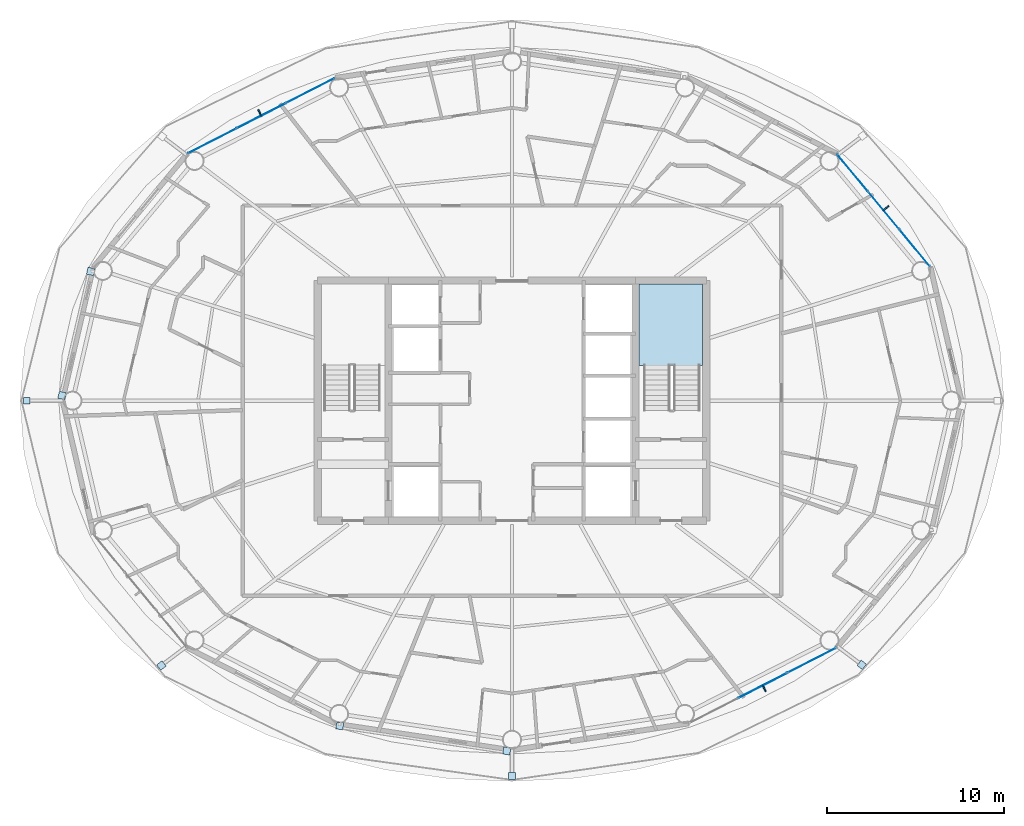
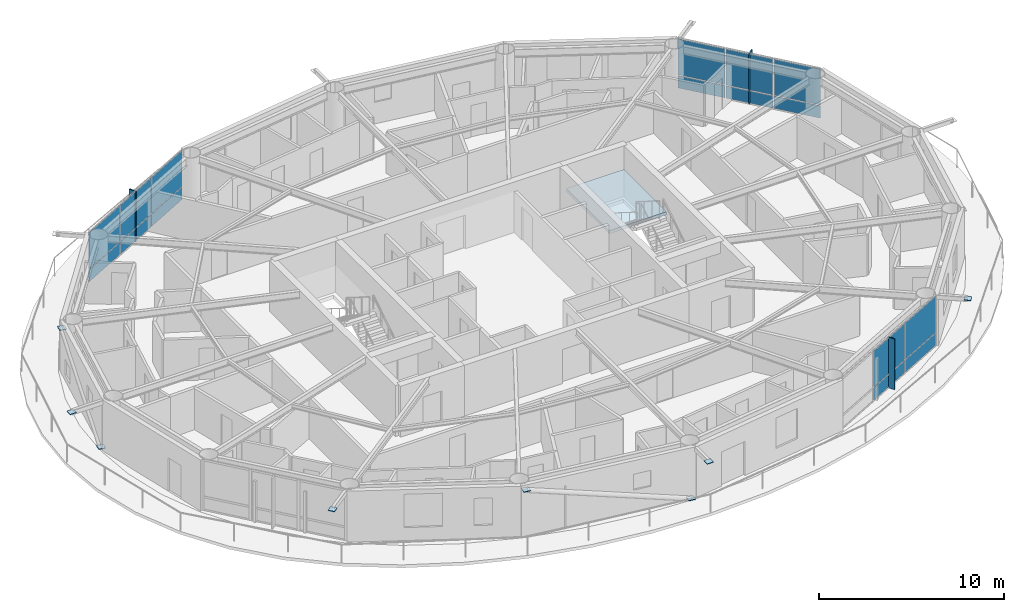
# One storey, part 14 of 23: 27 plates, 1 slab, 4 elements without a shape of their own.
"""IFC4 building model written with IfcOpenShell, lengths in metres."""

from ifc_helpers import new_model, si_unit, direction, frame, origin, origin_2d, place, context, subcontext, project, spatial, polyline, rectangle, outline, extrude, material, layer, layer_set, type_object, element, aggregate, save


model = new_model("IFC4")

# Units and contexts
model_context = context("Model", 3, precision=1e-05, world=origin(), true_north=direction((0.0, 1.0)))
body_context = subcontext(model_context, "Body", "Model", "MODEL_VIEW")
ifc_project = project(units=[si_unit("LENGTHUNIT", "METRE"), si_unit("AREAUNIT", "SQUARE_METRE"), si_unit("VOLUMEUNIT", "CUBIC_METRE"), si_unit("PLANEANGLEUNIT", "RADIAN"), si_unit("MASSUNIT", "GRAM", prefix="KILO")], contexts=[model_context])

# Site, building, storey
site_placement = place(None, origin())
site = spatial("IfcSite", under=ifc_project, at=site_placement, CompositionType="ELEMENT")
building_placement = place(site_placement, origin())
building = spatial("IfcBuilding", under=site, at=building_placement, Name="Sarneth Arch Tower", CompositionType="ELEMENT")
storey_placement = place(building_placement, frame((0.0, 0.0, 238.800048828125)))
storey = spatial("IfcBuildingStorey", under=building, at=storey_placement, Name="L61", CompositionType="ELEMENT", Elevation=238.800048828125)

# Curtain wall, plates
ifc_material_1 = material(Name="Anodised aluminium Type AA25 and solar-control low-e laminated IGU", Category="aluminium")
ifc_layer_1 = layer(ifc_material_1, 0.179931640625)
ifc_layer_set_1 = layer_set([ifc_layer_1], Name="Anodised aluminium Type AA25 and solar-control low-e laminated IGU")
curtain_wall_type = type_object("IfcCurtainWallType", Name="CW-RES-HIGH", PredefinedType="NOTDEFINED", material=ifc_layer_set_1)
curtain_wall_1_placement = place(storey_placement, origin())
curtain_wall_1 = element("IfcCurtainWall", 1, at=curtain_wall_1_placement, inside=storey, type_object=curtain_wall_type, Name="L61 Unitised curtain wall facet 02", PredefinedType="NOTDEFINED")
ifc_material_2 = material(Name="Solar-control low-e laminated IGU", Category="glass")
ifc_layer_2 = layer(ifc_material_2, 0.028076171875)
ifc_layer_set_2 = layer_set([ifc_layer_2], Name="Solar-control low-e laminated IGU")
plate_type_1 = type_object("IfcPlateType", Name="CW-PANEL", PredefinedType="CURTAIN_PANEL", material=ifc_layer_set_2)
plate_1_placement = place(storey_placement, frame((70.799072265625, 50.650634765625, 0.059814453125), z_axis=(0.0, 0.0, 1.0), x_axis=(-0.637610094184, 0.770359245933, 0.0)))
plate_1 = element("IfcPlate", 2, at=plate_1_placement, type_object=plate_type_1, Name="Curtain wall glazed vision pane CW-L61-F02/P00-00", PredefinedType="CURTAIN_PANEL", context=body_context, shape_type="SweptSolid", body=[
    extrude(rectangle(XDim=2.686767578125, YDim=0.028076171875, at=origin_2d()), origin(), (0.0, 0.0, 1.0), 0.81005859375),
])
plate_2_placement = place(storey_placement, frame((70.799072265625, 50.650634765625, 0.929931640625), z_axis=(0.0, 0.0, 1.0), x_axis=(-0.637610094184, 0.770359245933, 0.0)))
plate_2 = element("IfcPlate", 3, at=plate_2_placement, type_object=plate_type_1, Name="Curtain wall glazed vision pane CW-L61-F02/P00-01", PredefinedType="CURTAIN_PANEL", context=body_context, shape_type="SweptSolid", body=[
    extrude(rectangle(XDim=2.686767578125, YDim=0.028076171875, at=origin_2d()), origin(), (0.0, 0.0, 1.0), 2.3701171875),
])
plate_3_placement = place(storey_placement, frame((69.0380859375, 52.778076171875, 0.059814453125), z_axis=(0.0, 0.0, 1.0), x_axis=(-0.637610094184, 0.770359245933, 0.0)))
plate_3 = element("IfcPlate", 4, at=plate_3_placement, type_object=plate_type_1, Name="Curtain wall glazed vision pane CW-L61-F02/P01-00", PredefinedType="CURTAIN_PANEL", context=body_context, shape_type="SweptSolid", body=[
    extrude(rectangle(XDim=2.716552734375, YDim=0.028076171875, at=origin_2d()), origin(), (0.0, 0.0, 1.0), 0.81005859375),
])
plate_4_placement = place(storey_placement, frame((69.0380859375, 52.778076171875, 0.929931640625), z_axis=(0.0, 0.0, 1.0), x_axis=(-0.637610094184, 0.770359245933, 0.0)))
plate_4 = element("IfcPlate", 5, at=plate_4_placement, type_object=plate_type_1, Name="Curtain wall glazed vision pane CW-L61-F02/P01-01", PredefinedType="CURTAIN_PANEL", context=body_context, shape_type="SweptSolid", body=[
    extrude(rectangle(XDim=2.716552734375, YDim=0.028076171875, at=origin_2d()), origin(), (0.0, 0.0, 1.0), 2.3701171875),
])
plate_5_placement = place(storey_placement, frame((67.27734375, 54.905517578125, 0.059814453125), z_axis=(0.0, 0.0, 1.0), x_axis=(-0.637610094184, 0.770359245933, 0.0)))
plate_5 = element("IfcPlate", 6, at=plate_5_placement, type_object=plate_type_1, Name="Curtain wall glazed vision pane CW-L61-F02/P02-00", PredefinedType="CURTAIN_PANEL", context=body_context, shape_type="SweptSolid", body=[
    extrude(rectangle(XDim=2.686767578125, YDim=0.028076171875, at=origin_2d()), origin(), (0.0, 0.0, 1.0), 0.81005859375),
])
plate_6_placement = place(storey_placement, frame((67.27734375, 54.905517578125, 0.929931640625), z_axis=(0.0, 0.0, 1.0), x_axis=(-0.637610094184, 0.770359245933, 0.0)))
plate_6 = element("IfcPlate", 7, at=plate_6_placement, type_object=plate_type_1, Name="Curtain wall glazed vision pane CW-L61-F02/P02-01", PredefinedType="CURTAIN_PANEL", context=body_context, shape_type="SweptSolid", body=[
    extrude(rectangle(XDim=2.686767578125, YDim=0.028076171875, at=origin_2d()), origin(), (0.0, 0.0, 1.0), 2.3701171875),
])
aggregate(curtain_wall_1, [plate_1, plate_2, plate_3, plate_4, plate_5, plate_6])

curtain_wall_2_placement = place(storey_placement, origin())
curtain_wall_2 = element("IfcCurtainWall", 8, at=curtain_wall_2_placement, inside=storey, type_object=curtain_wall_type, Name="L61 Unitised curtain wall facet 06", PredefinedType="NOTDEFINED")
plate_7_placement = place(storey_placement, frame((36.5791015625, 59.552978515625, 0.059814453125), z_axis=(0.0, 0.0, 1.0), x_axis=(-0.890009540525, -0.455941901753, 0.0)))
plate_7 = element("IfcPlate", 9, at=plate_7_placement, type_object=plate_type_1, Name="Curtain wall glazed vision pane CW-L61-F06/P00-00", PredefinedType="CURTAIN_PANEL", context=body_context, shape_type="SweptSolid", body=[
    extrude(rectangle(XDim=3.044677734375, YDim=0.028076171875, at=origin_2d()), origin(), (0.0, 0.0, 1.0), 0.81005859375),
])
plate_8_placement = place(storey_placement, frame((36.5791015625, 59.552978515625, 0.929931640625), z_axis=(0.0, 0.0, 1.0), x_axis=(-0.890009540525, -0.455941901753, 0.0)))
plate_8 = element("IfcPlate", 10, at=plate_8_placement, type_object=plate_type_1, Name="Curtain wall glazed vision pane CW-L61-F06/P00-01", PredefinedType="CURTAIN_PANEL", context=body_context, shape_type="SweptSolid", body=[
    extrude(rectangle(XDim=3.044677734375, YDim=0.028076171875, at=origin_2d()), origin(), (0.0, 0.0, 1.0), 2.3701171875),
])
plate_9_placement = place(storey_placement, frame((33.802490234375, 58.13037109375, 0.059814453125), z_axis=(0.0, 0.0, 1.0), x_axis=(-0.890009540525, -0.455941901753, 0.0)))
plate_9 = element("IfcPlate", 11, at=plate_9_placement, type_object=plate_type_1, Name="Curtain wall glazed vision pane CW-L61-F06/P01-00", PredefinedType="CURTAIN_PANEL", context=body_context, shape_type="SweptSolid", body=[
    extrude(rectangle(XDim=3.07470703125, YDim=0.028076171875, at=origin_2d()), origin(), (0.0, 0.0, 1.0), 0.81005859375),
])
plate_10_placement = place(storey_placement, frame((33.802490234375, 58.13037109375, 0.929931640625), z_axis=(0.0, 0.0, 1.0), x_axis=(-0.890009540525, -0.455941901753, 0.0)))
plate_10 = element("IfcPlate", 12, at=plate_10_placement, type_object=plate_type_1, Name="Curtain wall glazed vision pane CW-L61-F06/P01-01", PredefinedType="CURTAIN_PANEL", context=body_context, shape_type="SweptSolid", body=[
    extrude(rectangle(XDim=3.07470703125, YDim=0.028076171875, at=origin_2d()), origin(), (0.0, 0.0, 1.0), 2.3701171875),
])
plate_11_placement = place(storey_placement, frame((31.02587890625, 56.7080078125, 0.059814453125), z_axis=(0.0, 0.0, 1.0), x_axis=(-0.890009540525, -0.455941901753, 0.0)))
plate_11 = element("IfcPlate", 13, at=plate_11_placement, type_object=plate_type_1, Name="Curtain wall glazed vision pane CW-L61-F06/P02-00", PredefinedType="CURTAIN_PANEL", context=body_context, shape_type="SweptSolid", body=[
    extrude(rectangle(XDim=3.044677734375, YDim=0.028076171875, at=origin_2d()), origin(), (0.0, 0.0, 1.0), 0.81005859375),
])
plate_12_placement = place(storey_placement, frame((31.02587890625, 56.7080078125, 0.929931640625), z_axis=(0.0, 0.0, 1.0), x_axis=(-0.890009540525, -0.455941901753, 0.0)))
plate_12 = element("IfcPlate", 14, at=plate_12_placement, type_object=plate_type_1, Name="Curtain wall glazed vision pane CW-L61-F06/P02-01", PredefinedType="CURTAIN_PANEL", context=body_context, shape_type="SweptSolid", body=[
    extrude(rectangle(XDim=3.044677734375, YDim=0.028076171875, at=origin_2d()), origin(), (0.0, 0.0, 1.0), 2.3701171875),
])
aggregate(curtain_wall_2, [plate_7, plate_8, plate_9, plate_10, plate_11, plate_12])

curtain_wall_3_placement = place(storey_placement, origin())
curtain_wall_3 = element("IfcCurtainWall", 15, at=curtain_wall_3_placement, inside=storey, type_object=curtain_wall_type, Name="L61 Unitised curtain wall facet 14", PredefinedType="NOTDEFINED")
plate_13_placement = place(storey_placement, frame((62.197509765625, 25.86962890625, 0.059814453125), z_axis=(0.0, 0.0, 1.0), x_axis=(0.890009540525, 0.455941901753, 0.0)))
plate_13 = element("IfcPlate", 16, at=plate_13_placement, type_object=plate_type_1, Name="Curtain wall glazed vision pane CW-L61-F14/P01-00", PredefinedType="CURTAIN_PANEL", context=body_context, shape_type="SweptSolid", body=[
    extrude(rectangle(XDim=3.07470703125, YDim=0.028076171875, at=origin_2d()), origin(), (0.0, 0.0, 1.0), 0.81005859375),
])
plate_14_placement = place(storey_placement, frame((62.197509765625, 25.86962890625, 0.929931640625), z_axis=(0.0, 0.0, 1.0), x_axis=(0.890009540525, 0.455941901753, 0.0)))
plate_14 = element("IfcPlate", 17, at=plate_14_placement, type_object=plate_type_1, Name="Curtain wall glazed vision pane CW-L61-F14/P01-01", PredefinedType="CURTAIN_PANEL", context=body_context, shape_type="SweptSolid", body=[
    extrude(rectangle(XDim=3.07470703125, YDim=0.028076171875, at=origin_2d()), origin(), (0.0, 0.0, 1.0), 2.3701171875),
])
plate_15_placement = place(storey_placement, frame((64.97412109375, 27.2919921875, 0.059814453125), z_axis=(0.0, 0.0, 1.0), x_axis=(0.890009540525, 0.455941901753, 0.0)))
plate_15 = element("IfcPlate", 18, at=plate_15_placement, type_object=plate_type_1, Name="Curtain wall glazed vision pane CW-L61-F14/P02-00", PredefinedType="CURTAIN_PANEL", context=body_context, shape_type="SweptSolid", body=[
    extrude(rectangle(XDim=3.044677734375, YDim=0.028076171875, at=origin_2d()), origin(), (0.0, 0.0, 1.0), 0.81005859375),
])
plate_16_placement = place(storey_placement, frame((64.97412109375, 27.2919921875, 0.929931640625), z_axis=(0.0, 0.0, 1.0), x_axis=(0.890009540525, 0.455941901753, 0.0)))
plate_16 = element("IfcPlate", 19, at=plate_16_placement, type_object=plate_type_1, Name="Curtain wall glazed vision pane CW-L61-F14/P02-01", PredefinedType="CURTAIN_PANEL", context=body_context, shape_type="SweptSolid", body=[
    extrude(rectangle(XDim=3.044677734375, YDim=0.028076171875, at=origin_2d()), origin(), (0.0, 0.0, 1.0), 2.3701171875),
])
aggregate(curtain_wall_3, [plate_13, plate_14, plate_15, plate_16])

# Plates
ifc_material_3 = material(Name="Steel S355", Category="steel")
ifc_layer_3 = layer(ifc_material_3, 0.035888671875)
ifc_layer_set_3 = layer_set([ifc_layer_3], Name="Steel S355")
plate_type_2 = type_object("IfcPlateType", Name="PLT-GUSSET-30", PredefinedType="SHEET", material=ifc_layer_set_3)
for number, where, z_axis, x_axis, name in (
    (20, (22.5234375, 42.292236328125, 0.001953125), (0.0, 0.0, 1.0), (-0.225461202458, -0.974252147129, 0.0), "Steel end cap plate GP-1"),
    (21, (24.148193359375, 49.3154296875, 3.0185546875), (0.0, 0.0, 1.0), (-0.225461202458, -0.974252147129, 0.0), "Steel end cap plate GP-1"),
):
    element("IfcPlate", number, at=place(storey_placement, frame(where, z_axis=z_axis, x_axis=x_axis)), inside=storey, type_object=plate_type_2, Name=name, PredefinedType="SHEET", context=body_context, shape_type="SweptSolid", body=[
        extrude(rectangle(XDim=0.404052734375, YDim=0.404052734375, at=origin_2d()), origin(), (0.0, 0.0, 1.0), 0.035888671875),
    ])
for number, where, z_axis, x_axis, name in (
    (22, (20.518310546875, 42.0, 3.18212890625), (0.0, 0.0, 1.0), (-1.0, 0.0, 0.0), "Steel end cap plate GP-1"),
    (23, (28.146484375, 27.0048828125, 3.18212890625), (0.0, 0.0, 1.0), (-0.798004853043, -0.602651022168, 0.0), "Steel end cap plate GP-1"),
):
    element("IfcPlate", number, at=place(storey_placement, frame(where, z_axis=z_axis, x_axis=x_axis)), inside=storey, type_object=plate_type_2, Name=name, PredefinedType="SHEET", context=body_context, shape_type="SweptSolid", body=[
        extrude(rectangle(XDim=0.3798828125, YDim=0.3798828125, at=origin_2d()), origin(), (0.0, 0.0, 1.0), 0.035888671875),
    ])
for number, where, z_axis, x_axis, name in (
    (24, (47.703369140625, 22.16455078125, 0.001953125), (0.0, 0.0, 1.0), (0.988860535448, -0.148845024885, 0.0), "Steel end cap plate GP-1"),
    (25, (38.245849609375, 23.588623046875, 3.0185546875), (0.0, 0.0, 1.0), (0.988860535448, -0.148845024885, 0.0), "Steel end cap plate GP-1"),
):
    element("IfcPlate", number, at=place(storey_placement, frame(where, z_axis=z_axis, x_axis=x_axis)), inside=storey, type_object=plate_type_2, Name=name, PredefinedType="SHEET", context=body_context, shape_type="SweptSolid", body=[
        extrude(rectangle(XDim=0.404052734375, YDim=0.404052734375, at=origin_2d()), origin(), (0.0, 0.0, 1.0), 0.035888671875),
    ])
for number, where, z_axis, x_axis, name in (
    (26, (48.0, 20.74853515625, 3.18212890625), (0.0, 0.0, 1.0), (0.0, -1.0, 0.0), "Steel end cap plate GP-1"),
    (27, (67.8076171875, 27.03955078125, 3.18212890625), (0.0, 0.0, 1.0), (0.798004853043, -0.602651022168, 0.0), "Steel end cap plate GP-1"),
):
    element("IfcPlate", number, at=place(storey_placement, frame(where, z_axis=z_axis, x_axis=x_axis)), inside=storey, type_object=plate_type_2, Name=name, PredefinedType="SHEET", context=body_context, shape_type="SweptSolid", body=[
        extrude(rectangle(XDim=0.3798828125, YDim=0.3798828125, at=origin_2d()), origin(), (0.0, 0.0, 1.0), 0.035888671875),
    ])
ifc_material_4 = material(Name="Extruded glazed terracotta baguette fin on Aluminium 6063-T6 carrier", Category="masonry")
ifc_layer_4 = layer(ifc_material_4, 0.080078125)
ifc_layer_set_4 = layer_set([ifc_layer_4], Name="Extruded glazed terracotta baguette fin on Aluminium 6063-T6 carrier")
plate_type_3 = type_object("IfcPlateType", Name="SHADE-TERRA-FIN", PredefinedType="SHEET", material=ifc_layer_set_4)
for number, where, z_axis, x_axis, name in (
    (28, (69.169189453125, 52.886474609375, 0.009765625), (0.0, 0.0, 1.0), (0.770401979567, 0.63755845997, 0.0), "L61 Terracotta vertical shading fin 02"),
    (29, (33.724853515625, 58.28173828125, 0.009765625), (0.0, 0.0, 1.0), (-0.456010959102, 0.889974159838, 0.0), "L61 Terracotta vertical shading fin 06"),
    (30, (62.275146484375, 25.71826171875, 0.009765625), (0.0, 0.0, 1.0), (0.456010959102, -0.889974159838, 0.0), "L61 Terracotta vertical shading fin 14"),
):
    element("IfcPlate", number, at=place(storey_placement, frame(where, z_axis=z_axis, x_axis=x_axis)), inside=storey, type_object=plate_type_3, Name=name, PredefinedType="SHEET", context=body_context, shape_type="SweptSolid", body=[
        extrude(rectangle(XDim=0.419921875, YDim=0.080078125, at=origin_2d()), origin(), (0.0, 0.0, 1.0), 3.340087890625),
    ])

# Stair, slab
ifc_material_5 = material(Name="Concrete C50/60", Category="concrete")
stair_type = type_object("IfcStairType", Name="STAIR-CORE-RC", PredefinedType="HALF_TURN_STAIR", material=ifc_material_5)
stair_placement = place(storey_placement, origin())
stair = element("IfcStair", 31, at=stair_placement, inside=storey, type_object=stair_type, Name="L61 Core Exit Stair 2", PredefinedType="HALF_TURN_STAIR")
ifc_material_6 = material(Name="Concrete C50/60", Category="concrete")
ifc_layer_5 = layer(ifc_material_6, 0.199951171875)
ifc_layer_set_5 = layer_set([ifc_layer_5], Name="Concrete C50/60")
slab_type = type_object("IfcSlabType", Name="SLAB-LANDING-200", PredefinedType="LANDING", material=ifc_layer_set_5)
slab_placement = place(storey_placement, frame((0.0, 0.0, 1.599853515625)))
slab = element("IfcSlab", 32, at=slab_placement, type_object=slab_type, Name="ST-2 landing 1", PredefinedType="LANDING", context=body_context, shape_type="SweptSolid", body=[
    extrude(outline(polyline([(55.199951171875, 43.985107421875), (58.800048828125, 43.985107421875), (58.800048828125, 48.60009765625), (55.199951171875, 48.60009765625), (55.199951171875, 43.985107421875)])), origin(), (0.0, 0.0, 1.0), 0.2001953125),
])
aggregate(stair, [slab])

save(model, "model.ifc")
